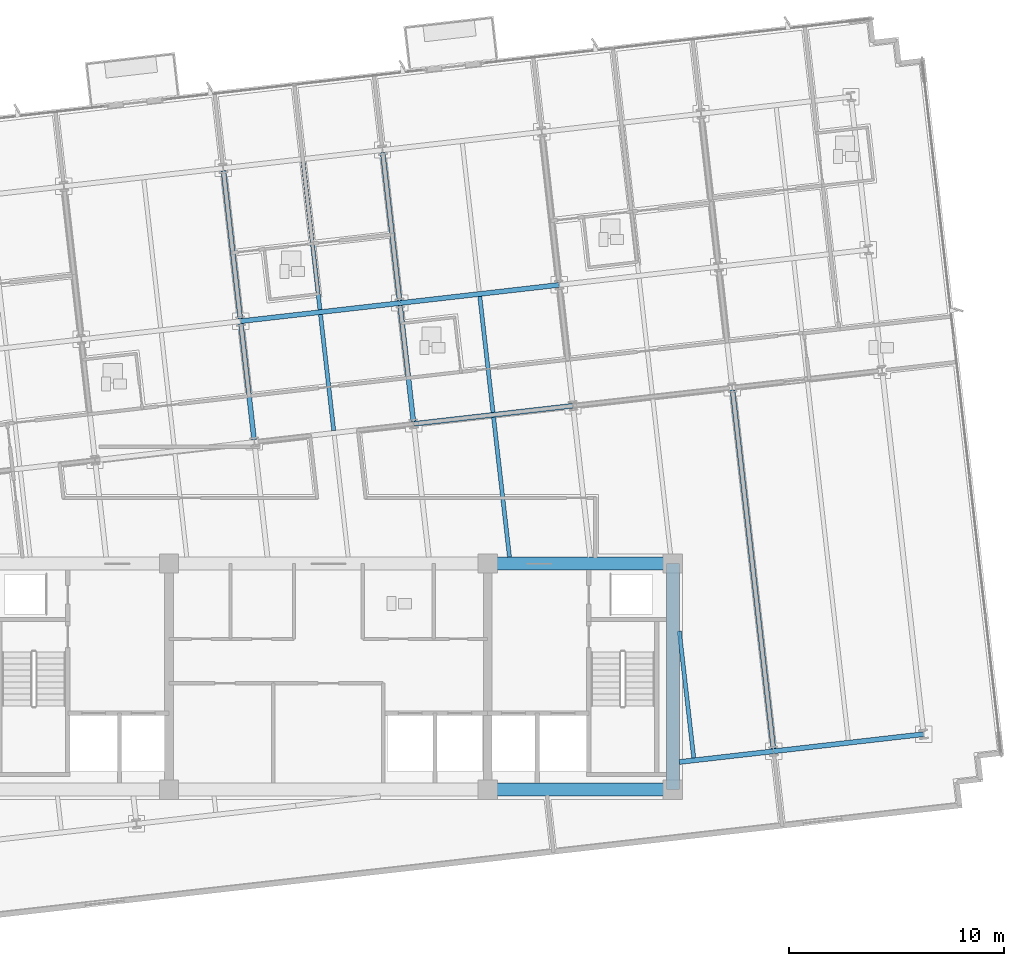
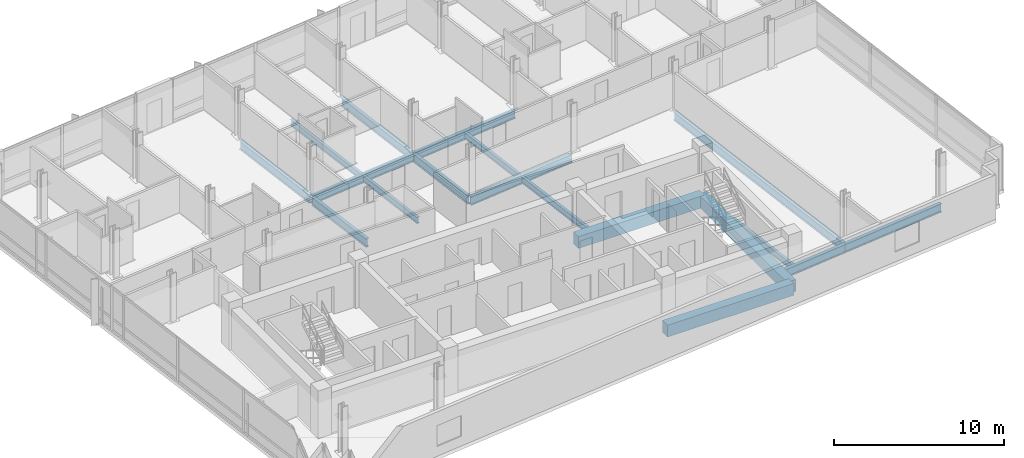
# One storey, part 3 of 17: 18 beams.
"""IFC4 building model written with IfcOpenShell, lengths in metres."""

from ifc_helpers import new_model, si_unit, direction, frame, origin, origin_2d, place, context, subcontext, project, spatial, rectangle, i_section, extrude, material, material_profile, profile_set, type_object, element, save


model = new_model("IFC4")

# Units and contexts
model_context = context("Model", 3, precision=1e-05, world=origin(), true_north=direction((0.0, 1.0)))
body_context = subcontext(model_context, "Body", "Model", "MODEL_VIEW")
ifc_project = project(units=[si_unit("LENGTHUNIT", "METRE"), si_unit("AREAUNIT", "SQUARE_METRE"), si_unit("VOLUMEUNIT", "CUBIC_METRE"), si_unit("PLANEANGLEUNIT", "RADIAN"), si_unit("MASSUNIT", "GRAM", prefix="KILO")], contexts=[model_context])

# Site, building, storey
site_placement = place(None, origin())
site = spatial("IfcSite", under=ifc_project, at=site_placement, CompositionType="ELEMENT")
building_placement = place(site_placement, origin())
building = spatial("IfcBuilding", under=site, at=building_placement, Name="Solmavex Isthmus Hotel", CompositionType="ELEMENT")
storey_placement = place(building_placement, frame((0.0, 0.0, 202.050048828125)))
storey = spatial("IfcBuildingStorey", under=building, at=storey_placement, Name="L54", CompositionType="ELEMENT", Elevation=202.050048828125)

# Beams
ifc_material_1 = material(Name="Steel ASTM A992 Grade 50", Category="steel")
ifc_material_profile_1 = material_profile(ifc_material_1, i_section(OverallWidth=0.1904296875, OverallDepth=0.456787109375, WebThickness=0.009033203125, FlangeThickness=0.014404296875, FilletRadius=0.0126953125, at=origin_2d()), Name="W18X50")
ifc_profile_set_1 = profile_set([ifc_material_profile_1], Name="Steel ASTM A992 Grade 50")
beam_type_1 = type_object("IfcBeamType", Name="BM-BJ-W18X50", PredefinedType="JOIST", material=ifc_profile_set_1)
beam_1_placement = place(storey_placement, frame((0.250244140625, 3.67822265625, -0.488525390625), z_axis=(-0.113194691868, 0.993572826587, 0.0), x_axis=(-0.993572826587, -0.113194691868, 0.0)))
element("IfcBeam", 1, at=beam_1_placement, inside=storey, type_object=beam_type_1, Name="Secondary Floor Joist L54-J10", PredefinedType="JOIST", context=body_context, shape_type="SweptSolid", body=[
    extrude(i_section(OverallWidth=0.1904296875, OverallDepth=0.456787109375, WebThickness=0.009033203125, FlangeThickness=0.014404296875, FilletRadius=0.0126953125, at=origin_2d()), origin(), (0.0, 0.0, 1.0), 5.420166015625),
])
beam_2_placement = place(storey_placement, frame((-0.38916015625, 9.289794921875, -0.488525390625), z_axis=(-0.113202453846, 0.993571942258, 0.0), x_axis=(-0.993571942258, -0.113202453846, 0.0)))
element("IfcBeam", 2, at=beam_2_placement, inside=storey, type_object=beam_type_1, Name="Secondary Floor Joist L54-J11", PredefinedType="JOIST", context=body_context, shape_type="SweptSolid", body=[
    extrude(i_section(OverallWidth=0.1904296875, OverallDepth=0.456787109375, WebThickness=0.009033203125, FlangeThickness=0.014404296875, FilletRadius=0.0126953125, at=origin_2d()), origin(), (0.0, 0.0, 1.0), 6.9228515625),
])
beam_3_placement = place(storey_placement, frame((8.414306640625, -2.199951171875, -0.488525390625), z_axis=(-0.113206345873, 0.993571498813, 0.0), x_axis=(-0.993571498813, -0.113206345873, 0.0)))
element("IfcBeam", 3, at=beam_3_placement, inside=storey, type_object=beam_type_1, Name="Secondary Floor Joist L54-J12", PredefinedType="JOIST", context=body_context, shape_type="SweptSolid", body=[
    extrude(i_section(OverallWidth=0.1904296875, OverallDepth=0.456787109375, WebThickness=0.009033203125, FlangeThickness=0.014404296875, FilletRadius=0.0126953125, at=origin_2d()), origin(), (0.0, 0.0, 1.0), 6.53662109375),
])
beam_4_placement = place(storey_placement, frame((7.6484375, 4.521240234375, -0.488525390625), z_axis=(-0.113194691868, 0.993572826587, 0.0), x_axis=(-0.993572826587, -0.113194691868, 0.0)))
element("IfcBeam", 4, at=beam_4_placement, inside=storey, type_object=beam_type_1, Name="Secondary Floor Joist L54-J13", PredefinedType="JOIST", context=body_context, shape_type="SweptSolid", body=[
    extrude(i_section(OverallWidth=0.1904296875, OverallDepth=0.456787109375, WebThickness=0.009033203125, FlangeThickness=0.014404296875, FilletRadius=0.0126953125, at=origin_2d()), origin(), (0.0, 0.0, 1.0), 5.420166015625),
])
beam_5_placement = place(storey_placement, frame((16.970947265625, -11.525390625, -0.488525390625), z_axis=(-0.113202687678, 0.993571915617, 0.0), x_axis=(-0.993571915617, -0.113202687678, 0.0)))
element("IfcBeam", 5, at=beam_5_placement, inside=storey, type_object=beam_type_1, Name="Secondary Floor Joist L54-J15", PredefinedType="JOIST", context=body_context, shape_type="SweptSolid", body=[
    extrude(i_section(OverallWidth=0.1904296875, OverallDepth=0.456787109375, WebThickness=0.009033203125, FlangeThickness=0.014404296875, FilletRadius=0.0126953125, at=origin_2d()), origin(), (0.0, 0.0, 1.0), 5.926513671875),
])
ifc_material_profile_2 = material_profile(ifc_material_1, i_section(OverallWidth=0.227783203125, OverallDepth=0.602783203125, WebThickness=0.010498046875, FlangeThickness=0.014892578125, FilletRadius=0.01513671875, at=origin_2d()), Name="W24X68")
ifc_profile_set_2 = profile_set([ifc_material_profile_2], Name="Steel ASTM A992 Grade 50")
beam_type_2 = type_object("IfcBeamType", Name="BM-BM-W24X68", PredefinedType="BEAM", material=ifc_profile_set_2)
for number, where, z_axis, x_axis, name in (
    (6, (3.962158203125, 3.986572265625, -0.561279296875), (0.993574034044, 0.113184092846, 0.0), (-0.113184092846, 0.993574034044, 0.0), "Floor Girder L54-UG09"),
    (7, (-4.0751953125, 8.75537109375, -0.561279296875), (0.993574034044, 0.113184092846, 0.0), (-0.113184092846, 0.993574034044, 0.0), "Floor Girder L54-UG14"),
):
    element("IfcBeam", number, at=place(storey_placement, frame(where, z_axis=z_axis, x_axis=x_axis)), inside=storey, type_object=beam_type_2, Name=name, PredefinedType="BEAM", context=body_context, shape_type="SweptSolid", body=[
        extrude(i_section(OverallWidth=0.227783203125, OverallDepth=0.602783203125, WebThickness=0.010498046875, FlangeThickness=0.014892578125, FilletRadius=0.01513671875, at=origin_2d()), origin(), (0.0, 0.0, 1.0), 7.446044921875),
    ])
beam_6_placement = place(storey_placement, frame((3.322998046875, 9.59814453125, -0.561279296875), z_axis=(0.993569926006, 0.113220148984, 0.0), x_axis=(-0.113220148984, 0.993569926006, 0.0)))
element("IfcBeam", 8, at=beam_6_placement, inside=storey, type_object=beam_type_2, Name="Floor Girder L54-UG15", PredefinedType="BEAM", context=body_context, shape_type="SweptSolid", body=[
    extrude(i_section(OverallWidth=0.227783203125, OverallDepth=0.602783203125, WebThickness=0.010498046875, FlangeThickness=0.014892578125, FilletRadius=0.01513671875, at=origin_2d()), origin(), (0.0, 0.0, 1.0), 7.44580078125),
])
beam_7_placement = place(storey_placement, frame((-3.44873046875, 3.2568359375, -0.561279296875), z_axis=(-0.113194691868, 0.993572826587, 0.0), x_axis=(-0.993572826587, -0.113194691868, 0.0)))
element("IfcBeam", 9, at=beam_7_placement, inside=storey, type_object=beam_type_2, Name="Floor Beam L54-VG32", PredefinedType="BEAM", context=body_context, shape_type="SweptSolid", body=[
    extrude(i_section(OverallWidth=0.227783203125, OverallDepth=0.602783203125, WebThickness=0.010498046875, FlangeThickness=0.014892578125, FilletRadius=0.01513671875, at=origin_2d()), origin(), (0.0, 0.0, 1.0), 5.420166015625),
])
beam_8_placement = place(storey_placement, frame((-4.088134765625, 8.868408203125, -0.561279296875), z_axis=(-0.113202453846, 0.993571942258, 0.0), x_axis=(-0.993571942258, -0.113202453846, 0.0)))
element("IfcBeam", 10, at=beam_8_placement, inside=storey, type_object=beam_type_2, Name="Floor Beam L54-VG33", PredefinedType="BEAM", context=body_context, shape_type="SweptSolid", body=[
    extrude(i_section(OverallWidth=0.227783203125, OverallDepth=0.602783203125, WebThickness=0.010498046875, FlangeThickness=0.014892578125, FilletRadius=0.01513671875, at=origin_2d()), origin(), (0.0, 0.0, 1.0), 6.9228515625),
])
beam_9_placement = place(storey_placement, frame((3.949462890625, 4.099609375, -0.561279296875), z_axis=(-0.113234090386, 0.993568337244, 0.0), x_axis=(-0.993568337244, -0.113234090386, 0.0)))
element("IfcBeam", 11, at=beam_9_placement, inside=storey, type_object=beam_type_2, Name="Floor Beam L54-VG35", PredefinedType="BEAM", context=body_context, shape_type="SweptSolid", body=[
    extrude(i_section(OverallWidth=0.227783203125, OverallDepth=0.602783203125, WebThickness=0.010498046875, FlangeThickness=0.014892578125, FilletRadius=0.01513671875, at=origin_2d()), origin(), (0.0, 0.0, 1.0), 5.42041015625),
])
beam_10_placement = place(storey_placement, frame((3.31005859375, 9.71142578125, -0.561279296875), z_axis=(-0.113202453846, 0.993571942258, 0.0), x_axis=(-0.993571942258, -0.113202453846, 0.0)))
element("IfcBeam", 12, at=beam_10_placement, inside=storey, type_object=beam_type_2, Name="Floor Beam L54-VG36", PredefinedType="BEAM", context=body_context, shape_type="SweptSolid", body=[
    extrude(i_section(OverallWidth=0.227783203125, OverallDepth=0.602783203125, WebThickness=0.010498046875, FlangeThickness=0.014892578125, FilletRadius=0.01513671875, at=origin_2d()), origin(), (0.0, 0.0, 1.0), 6.9228515625),
])
beam_11_placement = place(storey_placement, frame((20.669921875, -11.10400390625, -0.561279296875), z_axis=(-0.113198426291, 0.993572401129, 0.0), x_axis=(-0.993572401129, -0.113198426291, 0.0)))
element("IfcBeam", 13, at=beam_11_placement, inside=storey, type_object=beam_type_2, Name="Floor Beam L54-VG40", PredefinedType="BEAM", context=body_context, shape_type="SweptSolid", body=[
    extrude(i_section(OverallWidth=0.227783203125, OverallDepth=0.602783203125, WebThickness=0.010498046875, FlangeThickness=0.014892578125, FilletRadius=0.01513671875, at=origin_2d()), origin(), (0.0, 0.0, 1.0), 16.77099609375),
])
ifc_material_2 = material(Name="Concrete C50/60", Category="concrete")
ifc_material_profile_3 = material_profile(ifc_material_2, rectangle(XDim=0.60009765625, YDim=0.85009765625, at=origin_2d()), Name="RC600X850")
ifc_profile_set_3 = profile_set([ifc_material_profile_3], Name="Concrete C50/60")
beam_type_3 = type_object("IfcBeamType", Name="BM-CB-600X850", PredefinedType="BEAM", material=ifc_profile_set_3)
for number, where, z_axis, x_axis, name in (
    (14, (7.39990234375, -13.0, -0.68505859375), (1.0, 0.0, 0.0), (0.0, 1.0, 0.0), "Core Coupling Beam L54-CB3"),
    (15, (7.39990234375, -2.5, -0.68505859375), (1.0, 0.0, 0.0), (0.0, 1.0, 0.0), "Core Coupling Beam L54-CB6"),
):
    element("IfcBeam", number, at=place(storey_placement, frame(where, z_axis=z_axis, x_axis=x_axis)), inside=storey, type_object=beam_type_3, Name=name, PredefinedType="BEAM", context=body_context, shape_type="SweptSolid", body=[
        extrude(rectangle(XDim=0.60009765625, YDim=0.85009765625, at=origin_2d()), origin(), (0.0, 0.0, 1.0), 8.60009765625),
    ])
beam_12_placement = place(storey_placement, frame((16.0, -13.0, -0.68505859375), z_axis=(0.0, 1.0, 0.0), x_axis=(-1.0, 0.0, 0.0)))
element("IfcBeam", 16, at=beam_12_placement, inside=storey, type_object=beam_type_3, Name="Core Coupling Beam L54-CB8", PredefinedType="BEAM", context=body_context, shape_type="SweptSolid", body=[
    extrude(rectangle(XDim=0.60009765625, YDim=0.85009765625, at=origin_2d()), origin(), (0.0, 0.0, 1.0), 10.5),
])
ifc_material_profile_4 = material_profile(ifc_material_1, i_section(OverallWidth=0.230224609375, OverallDepth=0.617431640625, WebThickness=0.01318359375, FlangeThickness=0.022216796875, FilletRadius=0.01513671875, at=origin_2d()), Name="W24X94")
ifc_profile_set_4 = profile_set([ifc_material_profile_4], Name="Steel ASTM A992 Grade 50")
beam_type_4 = type_object("IfcBeamType", Name="BM-SP-W24X94", PredefinedType="SPANDREL", material=ifc_profile_set_4)
beam_13_placement = place(storey_placement, frame((16.300048828125, -11.7177734375, -0.56884765625), z_axis=(0.993574880398, 0.113176662976, 0.0), x_axis=(-0.113176662976, 0.993574880398, 0.0)))
element("IfcBeam", 17, at=beam_13_placement, inside=storey, type_object=beam_type_4, Name="Floor Girder L54-UG04", PredefinedType="SPANDREL", context=body_context, shape_type="SweptSolid", body=[
    extrude(i_section(OverallWidth=0.230224609375, OverallDepth=0.617431640625, WebThickness=0.01318359375, FlangeThickness=0.022216796875, FilletRadius=0.01513671875, at=origin_2d()), origin(), (0.0, 0.0, 1.0), 4.411376953125),
])
beam_14_placement = place(storey_placement, frame((20.68310546875, -11.218505859375, -0.56884765625), z_axis=(0.993569675103, 0.113222350774, 0.0), x_axis=(-0.113222350774, 0.993569675103, 0.0)))
element("IfcBeam", 18, at=beam_14_placement, inside=storey, type_object=beam_type_4, Name="Floor Girder L54-UG05", PredefinedType="SPANDREL", context=body_context, shape_type="SweptSolid", body=[
    extrude(i_section(OverallWidth=0.230224609375, OverallDepth=0.617431640625, WebThickness=0.01318359375, FlangeThickness=0.022216796875, FilletRadius=0.01513671875, at=origin_2d()), origin(), (0.0, 0.0, 1.0), 7.008056640625),
])

save(model, "model.ifc")
